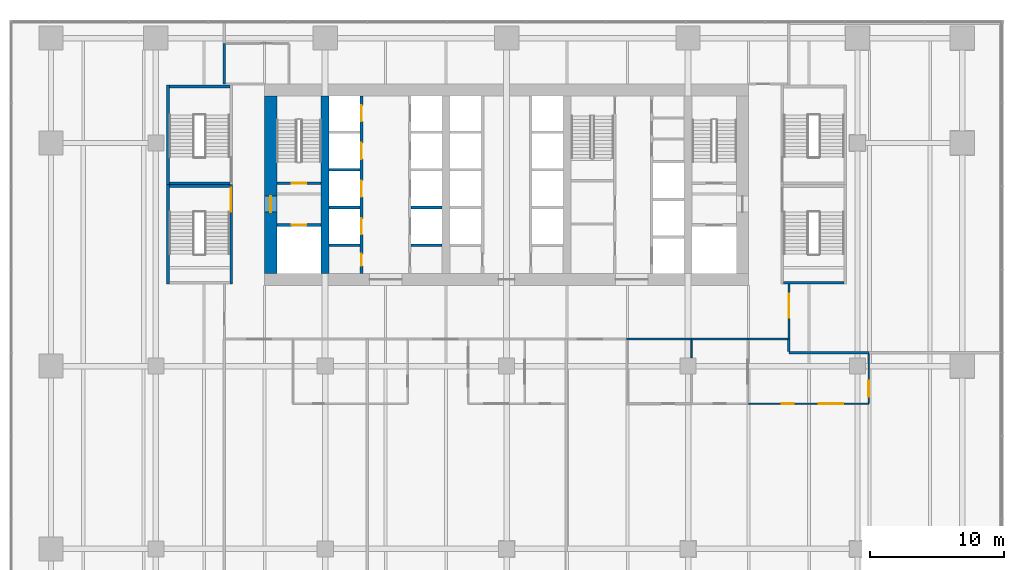
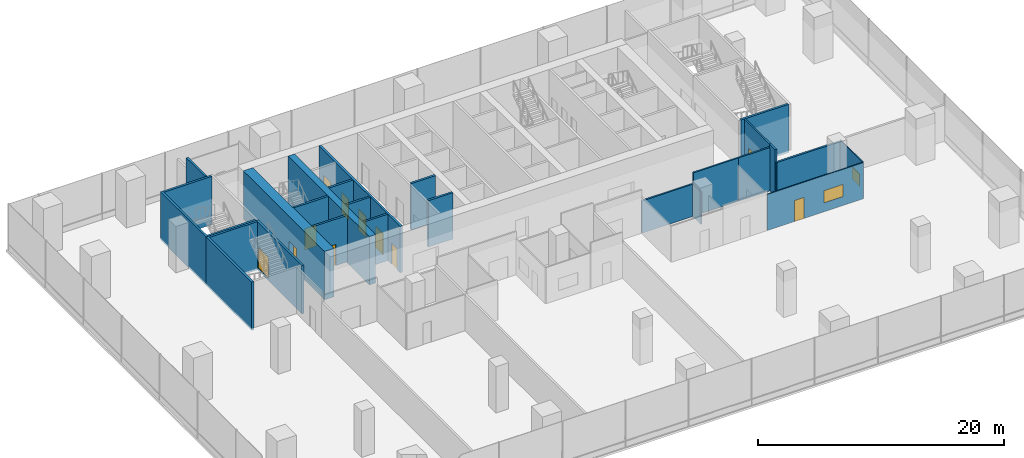
# One storey, part 20 of 29: 27 walls, 11 doors, 2 windows, 13 openings.
"""IFC4 building model written with IfcOpenShell, lengths in metres."""

import ifcopenshell
import ifcopenshell.guid

model = None  # the IFC model being written
_history = None  # IfcOwnerHistory: only IFC2X3 demands one
_inside = {}  # id of a spatial element -> (the spatial element, [elements in it])
_under = {}  # id of a project, library or spatial element -> (it, [spatial elements below it])
_declared = {}  # id of a project -> (the project, [libraries it declares])
_typed = {}  # id of a type object -> (the type object, [elements of that type])
_made_of = {}  # id of a material, layer set ... -> (it, [elements and type objects made of it])


def new_model(schema):
    """Start an empty IFC model of exactly this schema.

    Asked for "IFC4X3", IfcOpenShell would pick the latest addendum, in which some entities
    have other attributes; the version numbers below select the first issue.
    IFC2X3 requires an IfcOwnerHistory on every rooted entity: one is made here for all.
    """
    global model, _history
    if schema == "IFC4X3":
        model = ifcopenshell.file(schema_version=(4, 3, 0, 0))
    else:
        model = ifcopenshell.file(schema=schema)
    _inside.clear()
    _under.clear()
    _declared.clear()
    _typed.clear()
    _made_of.clear()
    _history = None
    if model.schema == "IFC2X3":
        org = make("IfcOrganization", Name="unknown")
        user = make(
            "IfcPersonAndOrganization",
            ThePerson=make("IfcPerson", FamilyName="unknown"),
            TheOrganization=org,
        )
        app = make(
            "IfcApplication",
            ApplicationDeveloper=org,
            Version="unknown",
            ApplicationFullName="unknown",
            ApplicationIdentifier="unknown",
        )
        _history = make(
            "IfcOwnerHistory",
            OwningUser=user,
            OwningApplication=app,
            ChangeAction="ADDED",
            CreationDate=0,
        )
    return model


def make(cls, **values):
    """One entity of the class cls with the attributes given. An attribute that is None is left unset."""
    return model.create_entity(
        cls, **{name: value for name, value in values.items() if value is not None}
    )


def rooted(cls, **values):
    """An entity with a GlobalId (a new one), such as an element, a storey or a relation."""
    return make(cls, GlobalId=ifcopenshell.guid.new(), OwnerHistory=_history, **values)


def si_unit(unit_type, name, prefix=None):
    """IfcSIUnit, for example si_unit("LENGTHUNIT", "METRE", prefix="MILLI")."""
    return make("IfcSIUnit", UnitType=unit_type, Prefix=prefix, Name=name)


def assignment(units):
    """IfcUnitAssignment: the units of a project."""
    return None if units is None else make("IfcUnitAssignment", Units=units)


def point(xyz):
    """IfcCartesianPoint."""
    return None if xyz is None else make("IfcCartesianPoint", Coordinates=xyz)


def direction(xyz):
    """IfcDirection."""
    return None if xyz is None else make("IfcDirection", DirectionRatios=xyz)


def frame(location, z_axis=None, x_axis=None):
    """IfcAxis2Placement3D, a coordinate frame: its origin and axes. An axis left out is left unset."""
    return make(
        "IfcAxis2Placement3D",
        Location=point(location),
        Axis=direction(z_axis),
        RefDirection=direction(x_axis),
    )


def frame_2d(location, x_axis=None):
    """IfcAxis2Placement2D, a coordinate frame in the plane: its origin and x axis."""
    return make(
        "IfcAxis2Placement2D", Location=point(location), RefDirection=direction(x_axis)
    )


def origin():
    """The frame at (0, 0, 0) with its axes left unset."""
    return frame((0.0, 0.0, 0.0))


def place(relative_to, where):
    """IfcLocalPlacement: puts the frame where relative to a parent placement (None: the world)."""
    return make(
        "IfcLocalPlacement", PlacementRelTo=relative_to, RelativePlacement=where
    )


def context(
    kind, dimensions, precision=None, world=None, true_north=None, identifier=None
):
    """IfcGeometricRepresentationContext, for example the 3D "Model" context."""
    return make(
        "IfcGeometricRepresentationContext",
        ContextIdentifier=identifier,
        ContextType=kind,
        CoordinateSpaceDimension=dimensions,
        Precision=precision,
        WorldCoordinateSystem=world,
        TrueNorth=true_north,
    )


def subcontext(parent, identifier, kind, view, scale=None):
    """IfcGeometricRepresentationSubContext, for example "Body" below "Model"."""
    return make(
        "IfcGeometricRepresentationSubContext",
        ContextIdentifier=identifier,
        ContextType=kind,
        ParentContext=parent,
        TargetScale=scale,
        TargetView=view,
    )


def project(units=None, contexts=None):
    """IfcProject with its units and contexts."""
    return rooted(
        "IfcProject",
        Name="project",
        RepresentationContexts=contexts,
        UnitsInContext=assignment(units),
    )


def spatial(cls, under=None, at=None, **own):
    """A site, building, storey or space (cls), placed at a placement, below another one or the project."""
    s = rooted(cls, ObjectPlacement=at, **own)
    if under is not None:
        _under.setdefault(under.id(), (under, []))[1].append(s)
    return s


def profile(cls, at=None, kind="AREA", **sizes):
    """A parametric profile (cls). Its sizes go by their IFC names, for example OverallWidth=200.0."""
    return make(cls, ProfileType=kind, Position=at, **sizes)


def rectangle(**sizes):
    """IfcRectangleProfileDef."""
    return profile("IfcRectangleProfileDef", **sizes)


def extrude(swept, where, along, depth):
    """IfcExtrudedAreaSolid: the profile swept, set in the frame where, extruded along a direction by depth."""
    return make(
        "IfcExtrudedAreaSolid",
        SweptArea=swept,
        Position=where,
        ExtrudedDirection=direction(along),
        Depth=depth,
    )


def shape(context_of_items, identifier, shape_type, items):
    """IfcShapeRepresentation: the items that make up one representation, for example the "Body"."""
    return make(
        "IfcShapeRepresentation",
        ContextOfItems=context_of_items,
        RepresentationIdentifier=identifier,
        RepresentationType=shape_type,
        Items=items,
    )


def material(Name=None, Category=None):
    """IfcMaterial."""
    return make("IfcMaterial", Name=Name, Category=Category)


def layer(
    of_material, thickness, ventilated=None, Name=None, Category=None, Priority=None
):
    """IfcMaterialLayer: one layer of a wall or slab, of a material (None: an air gap)."""
    return make(
        "IfcMaterialLayer",
        Material=of_material,
        LayerThickness=thickness,
        IsVentilated=ventilated,
        Name=Name,
        Category=Category,
        Priority=Priority,
    )


def layer_set(layers, Name=None):
    """IfcMaterialLayerSet."""
    return make("IfcMaterialLayerSet", MaterialLayers=layers, LayerSetName=Name)


def made_of(thing, what):
    """Note that an element or type object is made of a material, layer set ...; save() writes the relation."""
    if what is not None:
        _made_of.setdefault(what.id(), (what, []))[1].append(thing)
    return thing


def type_object(cls, material=None, **own):
    """A type object (cls), such as IfcWallType, which elements share."""
    return made_of(rooted(cls, **own), material)


def element(
    cls,
    number,
    at=None,
    inside=None,
    cuts=None,
    type_object=None,
    material=None,
    context=None,
    identifier="Body",
    shape_type=None,
    held_by="IfcProductDefinitionShape",
    body=None,
    shapes=None,
    **own,
):
    """One element of the class cls, such as IfcWall. Its Tag is "e" and its number.

    at: its placement. inside: the storey or other place that contains it. cuts: it is an
    opening in that element (IfcRelVoidsElement). A single representation is given by context,
    identifier, shape_type and body (its items); several are given by shapes. held_by: the class
    of the entity that holds the representations. save() writes the other relations.
    """
    e = rooted(cls, Tag="e%d" % number, ObjectPlacement=at, **own)
    if body is not None:
        shapes = [shape(context, identifier, shape_type, body)]
    if shapes is not None:
        e.Representation = make(held_by, Representations=shapes)
    if inside is not None:
        _inside.setdefault(inside.id(), (inside, []))[1].append(e)
    if cuts is not None:
        rooted(
            "IfcRelVoidsElement", RelatingBuildingElement=cuts, RelatedOpeningElement=e
        )
    if type_object is not None:
        _typed.setdefault(type_object.id(), (type_object, []))[1].append(e)
    return made_of(e, material)


def fill(opening, filler):
    """IfcRelFillsElement: the door or window that sits in an opening."""
    return rooted(
        "IfcRelFillsElement",
        RelatingOpeningElement=opening,
        RelatedBuildingElement=filler,
    )


def aggregate(whole, parts):
    """IfcRelAggregates: a whole, such as a stair, and the parts it consists of."""
    return rooted("IfcRelAggregates", RelatingObject=whole, RelatedObjects=parts)


def save(model, path):
    """Write the relations noted so far, then the file.

    IfcRelAggregates (storeys below a building ...), IfcRelContainedInSpatialStructure (elements
    in a storey), IfcRelDefinesByType, IfcRelAssociatesMaterial and IfcRelDeclares: one each for
    every whole, place, type object, material and project.
    """
    for whole, parts in _under.values():
        aggregate(whole, parts)
    for where, things in _inside.values():
        rooted(
            "IfcRelContainedInSpatialStructure",
            RelatedElements=things,
            RelatingStructure=where,
        )
    for kind, things in _typed.values():
        rooted("IfcRelDefinesByType", RelatedObjects=things, RelatingType=kind)
    for what, things in _made_of.values():
        rooted("IfcRelAssociatesMaterial", RelatedObjects=things, RelatingMaterial=what)
    for by, libraries in _declared.values():
        rooted("IfcRelDeclares", RelatingContext=by, RelatedDefinitions=libraries)
    model.write(path)


model = new_model("IFC4")

# Units and contexts
model_context = context("Model", 3, precision=1e-05, world=origin(), true_north=direction((0.0, 1.0)))
body_context = subcontext(model_context, "Body", "Model", "MODEL_VIEW")
ifc_project = project(units=[si_unit("LENGTHUNIT", "METRE"), si_unit("AREAUNIT", "SQUARE_METRE"), si_unit("VOLUMEUNIT", "CUBIC_METRE"), si_unit("PLANEANGLEUNIT", "RADIAN"), si_unit("MASSUNIT", "GRAM", prefix="KILO")], contexts=[model_context])

# Site, building, storey
site_placement = place(None, origin())
site = spatial("IfcSite", under=ifc_project, at=site_placement, CompositionType="ELEMENT")
building_placement = place(site_placement, origin())
building = spatial("IfcBuilding", under=site, at=building_placement, Name="Rattan Terrace Tower", CompositionType="ELEMENT")
storey_placement = place(building_placement, frame((0.0, 0.0, 12.60009765625)))
storey = spatial("IfcBuildingStorey", under=building, at=storey_placement, Name="L02", CompositionType="ELEMENT", Elevation=12.60009765625)

# Wall, opening, door
ifc_material_1 = material(Name="Gypsum board partition")
ifc_layer_1 = layer(ifc_material_1, 0.199951171875)
ifc_layer_set_1 = layer_set([ifc_layer_1], Name="Core partition 200")
wall_type_1 = type_object("IfcWallType", Name="Core partition 200", PredefinedType="PARTITIONING", material=ifc_layer_set_1)
wall_1_placement = place(storey_placement, frame((-17.10009765625, -3.0, 0.0), z_axis=(0.0, 0.0, 1.0), x_axis=(1.0, 0.0, 0.0)))
wall_1 = element("IfcWall", 1, at=wall_1_placement, inside=storey, type_object=wall_type_1, Name="Fire-fighting lobby wall", PredefinedType="PARTITIONING", context=body_context, shape_type="SweptSolid", body=[
    extrude(rectangle(XDim=3.300048828125, YDim=0.199951171875, at=frame_2d((1.64990234375, 0.0))), origin(), (0.0, 0.0, 1.0), 4.599853515625),
])
opening_1_placement = place(wall_1_placement, frame((1.10009765625, 0.0, 0.0)))
opening_1 = element("IfcOpeningElement", 2, at=opening_1_placement, cuts=wall_1, Name="Opening L02-LD-FF1", PredefinedType="OPENING", context=body_context, shape_type="SweptSolid", body=[
    extrude(rectangle(XDim=1.10009765625, YDim=2.10009765625, at=frame_2d((0.550048828125, 1.050048828125))), frame((0.0, 0.110595703125, 0.0), z_axis=(0.0, -1.0, 0.0), x_axis=(1.0, 0.0, 0.0)), (0.0, 0.0, 1.0), 0.220947265625),
])
ifc_material_2 = material(Name="Brushed stainless landing door panel")
door_type_1 = type_object("IfcDoorType", Name="Core lift landing door 1100", OperationType="DOUBLE_DOOR_SLIDING", PredefinedType="DOOR", material=ifc_material_2)
door_1_placement = place(opening_1_placement, origin())
door_1 = element("IfcDoor", 3, at=door_1_placement, inside=storey, type_object=door_type_1, Name="Door L02-LD-FF1", OperationType="DOUBLE_DOOR_SLIDING", OverallHeight=2.10009765625, OverallWidth=1.10009765625, PredefinedType="DOOR", context=body_context, shape_type="SweptSolid", body=[
    extrude(rectangle(XDim=1.10009765625, YDim=2.10009765625, at=frame_2d((0.550048828125, 1.050048828125))), frame((0.0, 0.02490234375, 0.0), z_axis=(0.0, -1.0, 0.0), x_axis=(1.0, 0.0, 0.0)), (0.0, 0.0, 1.0), 0.050048828125),
])
fill(opening_1, door_1)

wall_2_placement = place(storey_placement, frame((-17.10009765625, 0.10009765625, 0.0), z_axis=(0.0, 0.0, 1.0), x_axis=(1.0, 0.0, 0.0)))
wall_2 = element("IfcWall", 4, at=wall_2_placement, inside=storey, type_object=wall_type_1, Name="Stair enclosure wall", PredefinedType="PARTITIONING", context=body_context, shape_type="SweptSolid", body=[
    extrude(rectangle(XDim=3.300048828125, YDim=0.199951171875, at=frame_2d((1.64990234375, 0.0))), origin(), (0.0, 0.0, 1.0), 4.599853515625),
])
opening_2_placement = place(wall_2_placement, frame((1.10009765625, 0.0, 0.0)))
opening_2 = element("IfcOpeningElement", 5, at=opening_2_placement, cuts=wall_2, Name="Opening L02-D002", PredefinedType="OPENING", context=body_context, shape_type="SweptSolid", body=[
    extrude(rectangle(XDim=1.10009765625, YDim=2.10009765625, at=frame_2d((0.550048828125, 1.050048828125))), frame((0.0, 0.110595703125, 0.0), z_axis=(0.0, -1.0, 0.0), x_axis=(1.0, 0.0, 0.0)), (0.0, 0.0, 1.0), 0.220947265625),
])
ifc_material_3 = material(Name="Hollow-metal fire door leaf")
door_type_2 = type_object("IfcDoorType", Name="Core stair door 1100", OperationType="NOTDEFINED", PredefinedType="DOOR", material=ifc_material_3)
door_2_placement = place(opening_2_placement, origin())
door_2 = element("IfcDoor", 6, at=door_2_placement, inside=storey, type_object=door_type_2, Name="Door L02-D002", OperationType="SINGLE_SWING_RIGHT", OverallHeight=2.10009765625, OverallWidth=1.10009765625, PredefinedType="DOOR", context=body_context, shape_type="SweptSolid", body=[
    extrude(rectangle(XDim=1.10009765625, YDim=2.10009765625, at=frame_2d((0.550048828125, 1.050048828125))), frame((0.0, 0.02490234375, 0.0), z_axis=(0.0, -1.0, 0.0), x_axis=(1.0, 0.0, 0.0)), (0.0, 0.0, 1.0), 0.050048828125),
])
fill(opening_2, door_2)

ifc_material_4 = material(Name="Concrete C70/85", Category="concrete")
ifc_layer_2 = layer(ifc_material_4, 0.89990234375)
ifc_layer_set_2 = layer_set([ifc_layer_2], Name="Core ring wall 900 C70/85")
wall_type_2 = type_object("IfcWallType", Name="Core ring wall 900 C70/85", PredefinedType="SHEAR", material=ifc_layer_set_2)
wall_3_placement = place(storey_placement, frame((-17.550048828125, -6.60009765625, -0.2001953125), z_axis=(0.0, 0.0, 1.0), x_axis=(0.0, 1.0, 0.0)))
wall_3 = element("IfcWall", 7, at=wall_3_placement, inside=storey, type_object=wall_type_2, Name="Rear core wall west", PredefinedType="SHEAR", context=body_context, shape_type="SweptSolid", body=[
    extrude(rectangle(XDim=13.2001953125, YDim=0.89990234375, at=frame_2d((6.60009765625, 0.0))), origin(), (0.0, 0.0, 1.0), 4.800048828125),
])
opening_3_placement = place(wall_3_placement, frame((4.550048828125, 0.0, 0.199951171875)))
opening_3 = element("IfcOpeningElement", 8, at=opening_3_placement, cuts=wall_3, Name="Opening L02-D001", PredefinedType="OPENING", context=body_context, shape_type="SweptSolid", body=[
    extrude(rectangle(XDim=1.199951171875, YDim=2.10009765625, at=frame_2d((0.60009765625, 1.050048828125))), frame((0.0, 0.46044921875, 0.0), z_axis=(0.0, -1.0, 0.0), x_axis=(1.0, 0.0, 0.0)), (0.0, 0.0, 1.0), 0.9208984375),
])
ifc_material_5 = material(Name="Hollow-metal fire door leaf")
door_type_3 = type_object("IfcDoorType", Name="Core fire-fighting lobby door 1200", OperationType="NOTDEFINED", PredefinedType="DOOR", material=ifc_material_5)
door_3_placement = place(opening_3_placement, origin())
door_3 = element("IfcDoor", 9, at=door_3_placement, inside=storey, type_object=door_type_3, Name="Door L02-D001", OperationType="SINGLE_SWING_LEFT", OverallHeight=2.10009765625, OverallWidth=1.199951171875, PredefinedType="DOOR", context=body_context, shape_type="SweptSolid", body=[
    extrude(rectangle(XDim=1.199951171875, YDim=2.10009765625, at=frame_2d((0.60009765625, 1.050048828125))), frame((0.0, 0.02490234375, 0.0), z_axis=(0.0, -1.0, 0.0), x_axis=(1.0, 0.0, 0.0)), (0.0, 0.0, 1.0), 0.050048828125),
])
fill(opening_3, door_3)

# Walls
ifc_material_6 = material(Name="Concrete C70/85", Category="concrete")
ifc_layer_3 = layer(ifc_material_6, 0.60009765625)
ifc_layer_set_3 = layer_set([ifc_layer_3], Name="Core spine wall 600 C70/85")
wall_type_3 = type_object("IfcWallType", Name="Core spine wall 600 C70/85", PredefinedType="SHEAR", material=ifc_layer_set_3)
wall_4_placement = place(storey_placement, frame((-13.5, -6.60009765625, -0.2001953125), z_axis=(0.0, 0.0, 1.0), x_axis=(0.0, 1.0, 0.0)))
element("IfcWall", 10, at=wall_4_placement, inside=storey, type_object=wall_type_3, Name="Core spine wall 1", PredefinedType="SHEAR", context=body_context, shape_type="SweptSolid", body=[
    extrude(rectangle(XDim=13.2001953125, YDim=0.60009765625, at=frame_2d((6.60009765625, 0.0))), origin(), (0.0, 0.0, 1.0), 4.800048828125),
])
ifc_material_7 = material(Name="Double steel stud acoustic partition, gypsum board, mineral wool, fire rated", Category="steel")
ifc_layer_4 = layer(ifc_material_7, 0.179931640625)
ifc_layer_set_4 = layer_set([ifc_layer_4], Name="Floors Acoustic Party Wall 180")
wall_type_4 = type_object("IfcWallType", Name="Floors Acoustic Party Wall 180", PredefinedType="PARTITIONING", material=ifc_layer_set_4)
wall_5_placement = place(storey_placement, frame((-21.0, 10.52001953125, 0.0), z_axis=(0.0, 0.0, 1.0), x_axis=(0.0, -1.0, 0.0)))
element("IfcWall", 11, at=wall_5_placement, inside=storey, type_object=wall_type_4, Name="pt-L02-017", PredefinedType="PARTITIONING", context=body_context, shape_type="SweptSolid", body=[
    extrude(rectangle(XDim=3.0400390625, YDim=0.179931640625, at=frame_2d((1.52001953125, 0.0))), origin(), (0.0, 0.0, 1.0), 4.599853515625),
])
wall_6_placement = place(storey_placement, frame((20.998046875, -11.5, 0.0), z_axis=(0.0, 0.0, 1.0), x_axis=(0.0, -1.0, 0.0)))
element("IfcWall", 12, at=wall_6_placement, inside=storey, type_object=wall_type_4, Name="pt-L02-039", PredefinedType="PARTITIONING", context=body_context, shape_type="SweptSolid", body=[
    extrude(rectangle(XDim=0.909912109375, YDim=0.179931640625, at=frame_2d((0.455078125, 0.0))), origin(), (0.0, 0.0, 1.0), 4.599853515625),
])
wall_7_placement = place(storey_placement, frame((21.0, -12.5, 0.0), z_axis=(0.0, 0.0, 1.0), x_axis=(1.0, 0.0, 0.0)))
element("IfcWall", 13, at=wall_7_placement, inside=storey, type_object=wall_type_4, Name="pt-L02-040", PredefinedType="PARTITIONING", context=body_context, shape_type="SweptSolid", body=[
    extrude(rectangle(XDim=5.93994140625, YDim=0.179931640625, at=frame_2d((2.969970703125, 0.0))), origin(), (0.0, 0.0, 1.0), 3.39990234375),
])

# Wall, openings, door, window
ifc_material_8 = material(Name="Gypsum board partition on steel studs", Category="steel")
ifc_layer_5 = layer(ifc_material_8, 0.10009765625)
ifc_layer_set_5 = layer_set([ifc_layer_5], Name="Floors Partition 100")
wall_type_5 = type_object("IfcWallType", Name="Floors Partition 100", PredefinedType="PARTITIONING", material=ifc_layer_set_5)
wall_8_placement = place(storey_placement, frame((17.919921875, -16.300048828125, 0.0), z_axis=(0.0, 0.0, 1.0), x_axis=(1.0, 0.0, 0.0)))
wall_8 = element("IfcWall", 14, at=wall_8_placement, inside=storey, type_object=wall_type_5, Name="pt-L02-033", PredefinedType="PARTITIONING", context=body_context, shape_type="SweptSolid", body=[
    extrude(rectangle(XDim=9.02001953125, YDim=0.10009765625, at=frame_2d((4.510009765625, 0.0))), origin(), (0.0, 0.0, 1.0), 3.599853515625),
])
opening_4_placement = place(wall_8_placement, frame((2.535888671875, 0.0, 0.0)))
opening_4 = element("IfcOpeningElement", 15, at=opening_4_placement, cuts=wall_8, Name="Opening L02-D110", PredefinedType="OPENING", context=body_context, shape_type="SweptSolid", body=[
    extrude(rectangle(XDim=0.89990234375, YDim=2.10009765625, at=frame_2d((0.449951171875, 1.050048828125))), frame((0.0, 0.060546875, 0.0), z_axis=(0.0, -1.0, 0.0), x_axis=(1.0, 0.0, 0.0)), (0.0, 0.0, 1.0), 0.12109375),
])
opening_5_placement = place(wall_8_placement, frame((5.302978515625, 0.0, 0.89990234375)))
opening_5 = element("IfcOpeningElement", 16, at=opening_5_placement, cuts=wall_8, Name="Opening L02-W103", PredefinedType="OPENING", context=body_context, shape_type="SweptSolid", body=[
    extrude(rectangle(XDim=1.800048828125, YDim=1.199951171875, at=frame_2d((0.89990234375, 0.60009765625))), frame((0.0, 0.060546875, 0.0), z_axis=(0.0, -1.0, 0.0), x_axis=(1.0, 0.0, 0.0)), (0.0, 0.0, 1.0), 0.12109375),
])
ifc_material_9 = material(Name="Solid core timber door, painted", Category="wood")
door_type_4 = type_object("IfcDoorType", Name="Floors Door 900x2100", OperationType="NOTDEFINED", PredefinedType="DOOR", material=ifc_material_9)
door_4_placement = place(opening_4_placement, origin())
door_4 = element("IfcDoor", 17, at=door_4_placement, inside=storey, type_object=door_type_4, Name="d-L02-110", OperationType="SINGLE_SWING_LEFT", OverallHeight=2.10009765625, OverallWidth=0.89990234375, PredefinedType="DOOR", context=body_context, shape_type="SweptSolid", body=[
    extrude(rectangle(XDim=0.89990234375, YDim=2.10009765625, at=frame_2d((0.449951171875, 1.050048828125))), frame((0.0, 0.02490234375, 0.0), z_axis=(0.0, -1.0, 0.0), x_axis=(1.0, 0.0, 0.0)), (0.0, 0.0, 1.0), 0.050048828125),
])
fill(opening_4, door_4)
ifc_material_10 = material(Name="Glass, clear, fixed in aluminium frame", Category="aluminium")
window_type_1 = type_object("IfcWindowType", Name="Interior Vision Window 1800x1200", PartitioningType="SINGLE_PANEL", PredefinedType="WINDOW", material=ifc_material_10)
window_1_placement = place(opening_5_placement, origin())
window_1 = element("IfcWindow", 18, at=window_1_placement, inside=storey, type_object=window_type_1, Name="w-L02-103", OverallHeight=1.199951171875, OverallWidth=1.800048828125, PartitioningType="SINGLE_PANEL", PredefinedType="WINDOW", context=body_context, shape_type="SweptSolid", body=[
    extrude(rectangle(XDim=1.800048828125, YDim=1.199951171875, at=frame_2d((0.89990234375, 0.60009765625))), frame((0.0, 0.030029296875, 0.0), z_axis=(0.0, -1.0, 0.0), x_axis=(1.0, 0.0, 0.0)), (0.0, 0.0, 1.0), 0.06005859375),
])
fill(opening_5, window_1)

# Wall, opening, window
wall_9_placement = place(storey_placement, frame((26.93994140625, -16.25, 0.0), z_axis=(0.0, 0.0, 1.0), x_axis=(0.0, 1.0, 0.0)))
wall_9 = element("IfcWall", 19, at=wall_9_placement, inside=storey, type_object=wall_type_5, Name="pt-L02-034", PredefinedType="PARTITIONING", context=body_context, shape_type="SweptSolid", body=[
    extrude(rectangle(XDim=3.659912109375, YDim=0.10009765625, at=frame_2d((1.830078125, 0.0))), origin(), (0.0, 0.0, 1.0), 3.599853515625),
])
opening_6_placement = place(wall_9_placement, frame((0.47509765625, 0.0, 0.89990234375)))
opening_6 = element("IfcOpeningElement", 20, at=opening_6_placement, cuts=wall_9, Name="Opening L02-W104", PredefinedType="OPENING", context=body_context, shape_type="SweptSolid", body=[
    extrude(rectangle(XDim=1.199951171875, YDim=1.199951171875, at=frame_2d((0.60009765625, 0.60009765625))), frame((0.0, 0.060546875, 0.0), z_axis=(0.0, -1.0, 0.0), x_axis=(1.0, 0.0, 0.0)), (0.0, 0.0, 1.0), 0.12109375),
])
ifc_material_11 = material(Name="Glass, clear, fixed in aluminium frame", Category="aluminium")
window_type_2 = type_object("IfcWindowType", Name="Interior Vision Window 1200x1200", PartitioningType="SINGLE_PANEL", PredefinedType="WINDOW", material=ifc_material_11)
window_2_placement = place(opening_6_placement, origin())
window_2 = element("IfcWindow", 21, at=window_2_placement, inside=storey, type_object=window_type_2, Name="w-L02-104", OverallHeight=1.199951171875, OverallWidth=1.199951171875, PartitioningType="SINGLE_PANEL", PredefinedType="WINDOW", context=body_context, shape_type="SweptSolid", body=[
    extrude(rectangle(XDim=1.199951171875, YDim=1.199951171875, at=frame_2d((0.60009765625, 0.60009765625))), frame((0.0, 0.030029296875, 0.0), z_axis=(0.0, -1.0, 0.0), x_axis=(1.0, 0.0, 0.0)), (0.0, 0.0, 1.0), 0.06005859375),
])
fill(opening_6, window_2)

# Walls
ifc_material_12 = material(Name="Gypsum board partition on steel studs, fire rated", Category="steel")
ifc_layer_6 = layer(ifc_material_12, 0.14990234375)
ifc_layer_set_6 = layer_set([ifc_layer_6], Name="Floors Tenancy Wall 150")
wall_type_6 = type_object("IfcWallType", Name="Floors Tenancy Wall 150", PredefinedType="PARTITIONING", material=ifc_layer_set_6)
wall_10_placement = place(storey_placement, frame((13.760009765625, -11.5, 0.0), z_axis=(0.0, 0.0, 1.0), x_axis=(-1.0, 0.0, 0.0)))
element("IfcWall", 22, at=wall_10_placement, inside=storey, type_object=wall_type_6, Name="pt-L02-009", PredefinedType="PARTITIONING", context=body_context, shape_type="SweptSolid", body=[
    extrude(rectangle(XDim=4.840087890625, YDim=0.14990234375, at=frame_2d((2.419921875, 0.0))), origin(), (0.0, 0.0, 1.0), 3.199951171875),
])
wall_11_placement = place(storey_placement, frame((17.9599609375, -11.5, 0.0), z_axis=(0.0, 0.0, 1.0), x_axis=(-1.0, 0.0, 0.0)))
element("IfcWall", 23, at=wall_11_placement, inside=storey, type_object=wall_type_6, Name="pt-L02-010", PredefinedType="PARTITIONING", context=body_context, shape_type="SweptSolid", body=[
    extrude(rectangle(XDim=4.199951171875, YDim=0.14990234375, at=frame_2d((2.10009765625, 0.0))), origin(), (0.0, 0.0, 1.0), 4.2998046875),
])
wall_12_placement = place(storey_placement, frame((20.925048828125, -11.5, 0.0), z_axis=(0.0, 0.0, 1.0), x_axis=(-1.0, 0.0, 0.0)))
element("IfcWall", 24, at=wall_12_placement, inside=storey, type_object=wall_type_6, Name="pt-L02-011", PredefinedType="PARTITIONING", context=body_context, shape_type="SweptSolid", body=[
    extrude(rectangle(XDim=2.965087890625, YDim=0.14990234375, at=frame_2d((1.482421875, 0.0))), origin(), (0.0, 0.0, 1.0), 4.2998046875),
])

# Wall, opening, door
wall_13_placement = place(storey_placement, frame((21.0, -7.39990234375, 0.0), z_axis=(0.0, 0.0, 1.0), x_axis=(0.0, -1.0, 0.0)))
wall_13 = element("IfcWall", 25, at=wall_13_placement, inside=storey, type_object=wall_type_6, Name="pt-L02-012", PredefinedType="PARTITIONING", context=body_context, shape_type="SweptSolid", body=[
    extrude(rectangle(XDim=4.10009765625, YDim=0.14990234375, at=frame_2d((2.050048828125, 0.0))), origin(), (0.0, 0.0, 1.0), 4.599853515625),
])
opening_7_placement = place(wall_13_placement, frame((0.699951171875, 0.0, 0.0)))
opening_7 = element("IfcOpeningElement", 26, at=opening_7_placement, cuts=wall_13, Name="Opening L02-D111", PredefinedType="OPENING", context=body_context, shape_type="SweptSolid", body=[
    extrude(rectangle(XDim=1.800048828125, YDim=2.10009765625, at=frame_2d((0.89990234375, 1.050048828125))), frame((0.0, 0.08544921875, 0.0), z_axis=(0.0, -1.0, 0.0), x_axis=(1.0, 0.0, 0.0)), (0.0, 0.0, 1.0), 0.1708984375),
])
ifc_material_13 = material(Name="Steel fire door set", Category="steel")
door_type_5 = type_object("IfcDoorType", Name="Floors Fire Door Pair FD30S 1800x2100", OperationType="NOTDEFINED", PredefinedType="DOOR", material=ifc_material_13)
door_5_placement = place(opening_7_placement, origin())
door_5 = element("IfcDoor", 27, at=door_5_placement, inside=storey, type_object=door_type_5, Name="d-L02-111", OperationType="DOUBLE_DOOR_SINGLE_SWING", OverallHeight=2.10009765625, OverallWidth=1.800048828125, PredefinedType="DOOR", context=body_context, shape_type="SweptSolid", body=[
    extrude(rectangle(XDim=1.800048828125, YDim=2.10009765625, at=frame_2d((0.89990234375, 1.050048828125))), frame((0.0, 0.02490234375, 0.0), z_axis=(0.0, -1.0, 0.0), x_axis=(1.0, 0.0, 0.0)), (0.0, 0.0, 1.0), 0.050048828125),
])
fill(opening_7, door_5)

# Wall
ifc_material_14 = material(Name="Moisture resistant gypsum board partition on steel studs with service cavity", Category="steel")
ifc_layer_7 = layer(ifc_material_14, 0.1201171875)
ifc_layer_set_7 = layer_set([ifc_layer_7], Name="Floors Wet Wall 120")
wall_type_7 = type_object("IfcWallType", Name="Floors Wet Wall 120", PredefinedType="PARTITIONING", material=ifc_layer_set_7)
wall_14_placement = place(storey_placement, frame((13.739990234375, -11.574951171875, 0.0), z_axis=(0.0, 0.0, 1.0), x_axis=(0.0, -1.0, 0.0)))
element("IfcWall", 28, at=wall_14_placement, inside=storey, type_object=wall_type_7, Name="pt-L02-036", PredefinedType="PARTITIONING", context=body_context, shape_type="SweptSolid", body=[
    extrude(rectangle(XDim=1.304931640625, YDim=0.1201171875, at=frame_2d((0.65234375, 0.0))), origin(), (0.0, 0.0, 1.0), 3.199951171875),
])

# Wall, openings, doors
ifc_material_15 = material(Name="Gypsum shaft wall system")
ifc_layer_8 = layer(ifc_material_15, 0.199951171875)
ifc_layer_set_8 = layer_set([ifc_layer_8], Name="Lift shaft wall 200")
wall_type_8 = type_object("IfcWallType", Name="Lift shaft wall 200", PredefinedType="PARTITIONING", material=ifc_layer_set_8)
wall_15_placement = place(storey_placement, frame((-10.800048828125, -6.60009765625, 0.0), z_axis=(0.0, 0.0, 1.0), x_axis=(0.0, 1.0, 0.0)))
wall_15 = element("IfcWall", 29, at=wall_15_placement, inside=storey, type_object=wall_type_8, Name="Lift shaft front wall", PredefinedType="PARTITIONING", context=body_context, shape_type="SweptSolid", body=[
    extrude(rectangle(XDim=13.2001953125, YDim=0.199951171875, at=frame_2d((6.60009765625, 0.0))), origin(), (0.0, 0.0, 1.0), 4.599853515625),
])
opening_8_placement = place(wall_15_placement, frame((0.550048828125, 0.0, 0.0)))
opening_8 = element("IfcOpeningElement", 30, at=opening_8_placement, cuts=wall_15, Name="Opening L02-D005", PredefinedType="OPENING", context=body_context, shape_type="SweptSolid", body=[
    extrude(rectangle(XDim=0.89990234375, YDim=2.10009765625, at=frame_2d((0.449951171875, 1.050048828125))), frame((0.0, 0.110595703125, 0.0), z_axis=(0.0, -1.0, 0.0), x_axis=(1.0, 0.0, 0.0)), (0.0, 0.0, 1.0), 0.220947265625),
])
opening_9_placement = place(wall_15_placement, frame((2.89990234375, 0.0, 0.0)))
opening_9 = element("IfcOpeningElement", 31, at=opening_9_placement, cuts=wall_15, Name="Opening L02-LD-LR1", PredefinedType="OPENING", context=body_context, shape_type="SweptSolid", body=[
    extrude(rectangle(XDim=1.199951171875, YDim=2.10009765625, at=frame_2d((0.60009765625, 1.050048828125))), frame((0.0, 0.110595703125, 0.0), z_axis=(0.0, -1.0, 0.0), x_axis=(1.0, 0.0, 0.0)), (0.0, 0.0, 1.0), 0.220947265625),
])
opening_10_placement = place(wall_15_placement, frame((5.699951171875, 0.0, 0.0)))
opening_10 = element("IfcOpeningElement", 32, at=opening_10_placement, cuts=wall_15, Name="Opening L02-LD-LR2", PredefinedType="OPENING", context=body_context, shape_type="SweptSolid", body=[
    extrude(rectangle(XDim=1.199951171875, YDim=2.10009765625, at=frame_2d((0.60009765625, 1.050048828125))), frame((0.0, 0.110595703125, 0.0), z_axis=(0.0, -1.0, 0.0), x_axis=(1.0, 0.0, 0.0)), (0.0, 0.0, 1.0), 0.220947265625),
])
opening_11_placement = place(wall_15_placement, frame((8.5, 0.0, 0.0)))
opening_11 = element("IfcOpeningElement", 33, at=opening_11_placement, cuts=wall_15, Name="Opening L02-LD-LR3", PredefinedType="OPENING", context=body_context, shape_type="SweptSolid", body=[
    extrude(rectangle(XDim=1.199951171875, YDim=2.10009765625, at=frame_2d((0.60009765625, 1.050048828125))), frame((0.0, 0.110595703125, 0.0), z_axis=(0.0, -1.0, 0.0), x_axis=(1.0, 0.0, 0.0)), (0.0, 0.0, 1.0), 0.220947265625),
])
opening_12_placement = place(wall_15_placement, frame((11.300048828125, 0.0, 0.0)))
opening_12 = element("IfcOpeningElement", 34, at=opening_12_placement, cuts=wall_15, Name="Opening L02-LD-LR4", PredefinedType="OPENING", context=body_context, shape_type="SweptSolid", body=[
    extrude(rectangle(XDim=1.199951171875, YDim=2.10009765625, at=frame_2d((0.60009765625, 1.050048828125))), frame((0.0, 0.110595703125, 0.0), z_axis=(0.0, -1.0, 0.0), x_axis=(1.0, 0.0, 0.0)), (0.0, 0.0, 1.0), 0.220947265625),
])
ifc_material_16 = material(Name="Brushed stainless landing door panel")
door_type_6 = type_object("IfcDoorType", Name="Core lift landing door 1200", OperationType="DOUBLE_DOOR_SLIDING", PredefinedType="DOOR", material=ifc_material_16)
door_6_placement = place(opening_9_placement, origin())
door_6 = element("IfcDoor", 35, at=door_6_placement, inside=storey, type_object=door_type_6, Name="Door L02-LD-LR1", OperationType="DOUBLE_DOOR_SLIDING", OverallHeight=2.10009765625, OverallWidth=1.199951171875, PredefinedType="DOOR", context=body_context, shape_type="SweptSolid", body=[
    extrude(rectangle(XDim=1.199951171875, YDim=2.10009765625, at=frame_2d((0.60009765625, 1.050048828125))), frame((0.0, 0.02490234375, 0.0), z_axis=(0.0, -1.0, 0.0), x_axis=(1.0, 0.0, 0.0)), (0.0, 0.0, 1.0), 0.050048828125),
])
fill(opening_9, door_6)
door_7_placement = place(opening_10_placement, origin())
door_7 = element("IfcDoor", 36, at=door_7_placement, inside=storey, type_object=door_type_6, Name="Door L02-LD-LR2", OperationType="DOUBLE_DOOR_SLIDING", OverallHeight=2.10009765625, OverallWidth=1.199951171875, PredefinedType="DOOR", context=body_context, shape_type="SweptSolid", body=[
    extrude(rectangle(XDim=1.199951171875, YDim=2.10009765625, at=frame_2d((0.60009765625, 1.050048828125))), frame((0.0, 0.02490234375, 0.0), z_axis=(0.0, -1.0, 0.0), x_axis=(1.0, 0.0, 0.0)), (0.0, 0.0, 1.0), 0.050048828125),
])
fill(opening_10, door_7)
door_8_placement = place(opening_11_placement, origin())
door_8 = element("IfcDoor", 37, at=door_8_placement, inside=storey, type_object=door_type_6, Name="Door L02-LD-LR3", OperationType="DOUBLE_DOOR_SLIDING", OverallHeight=2.10009765625, OverallWidth=1.199951171875, PredefinedType="DOOR", context=body_context, shape_type="SweptSolid", body=[
    extrude(rectangle(XDim=1.199951171875, YDim=2.10009765625, at=frame_2d((0.60009765625, 1.050048828125))), frame((0.0, 0.02490234375, 0.0), z_axis=(0.0, -1.0, 0.0), x_axis=(1.0, 0.0, 0.0)), (0.0, 0.0, 1.0), 0.050048828125),
])
fill(opening_11, door_8)
door_9_placement = place(opening_12_placement, origin())
door_9 = element("IfcDoor", 38, at=door_9_placement, inside=storey, type_object=door_type_6, Name="Door L02-LD-LR4", OperationType="DOUBLE_DOOR_SLIDING", OverallHeight=2.10009765625, OverallWidth=1.199951171875, PredefinedType="DOOR", context=body_context, shape_type="SweptSolid", body=[
    extrude(rectangle(XDim=1.199951171875, YDim=2.10009765625, at=frame_2d((0.60009765625, 1.050048828125))), frame((0.0, 0.02490234375, 0.0), z_axis=(0.0, -1.0, 0.0), x_axis=(1.0, 0.0, 0.0)), (0.0, 0.0, 1.0), 0.050048828125),
])
fill(opening_12, door_9)
ifc_material_17 = material(Name="Hollow-metal fire door leaf")
door_type_7 = type_object("IfcDoorType", Name="Core riser door 900", OperationType="NOTDEFINED", PredefinedType="DOOR", material=ifc_material_17)
door_10_placement = place(opening_8_placement, origin())
door_10 = element("IfcDoor", 39, at=door_10_placement, inside=storey, type_object=door_type_7, Name="Door L02-D005", OperationType="SINGLE_SWING_LEFT", OverallHeight=2.10009765625, OverallWidth=0.89990234375, PredefinedType="DOOR", context=body_context, shape_type="SweptSolid", body=[
    extrude(rectangle(XDim=0.89990234375, YDim=2.10009765625, at=frame_2d((0.449951171875, 1.050048828125))), frame((0.0, 0.02490234375, 0.0), z_axis=(0.0, -1.0, 0.0), x_axis=(1.0, 0.0, 0.0)), (0.0, 0.0, 1.0), 0.050048828125),
])
fill(opening_8, door_10)

# Walls
for number, where, z_axis, x_axis, name in (
    (40, (-13.199951171875, -1.699951171875, 0.0), (0.0, 0.0, 1.0), (1.0, 0.0, 0.0), "Lift shaft wall"),
    (41, (-13.199951171875, 1.10009765625, 0.0), (0.0, 0.0, 1.0), (1.0, 0.0, 0.0), "Lift shaft wall"),
    (42, (-13.199951171875, -4.5, 0.0), (0.0, 0.0, 1.0), (1.0, 0.0, 0.0), "Lift shaft wall"),
    (43, (-7.10009765625, -1.699951171875, 0.0), (0.0, 0.0, 1.0), (1.0, 0.0, 0.0), "Lift shaft wall"),
    (44, (-7.10009765625, -4.5, 0.0), (0.0, 0.0, 1.0), (1.0, 0.0, 0.0), "Lift shaft wall"),
):
    element("IfcWall", number, at=place(storey_placement, frame(where, z_axis=z_axis, x_axis=x_axis)), inside=storey, type_object=wall_type_8, Name=name, PredefinedType="PARTITIONING", context=body_context, shape_type="SweptSolid", body=[
        extrude(rectangle(XDim=2.300048828125, YDim=0.199951171875, at=frame_2d((1.14990234375, 0.0))), origin(), (0.0, 0.0, 1.0), 4.599853515625),
    ])

# Wall, opening, door
ifc_material_18 = material(Name="Concrete C40/50", Category="concrete")
ifc_layer_9 = layer(ifc_material_18, 0.199951171875)
ifc_layer_set_9 = layer_set([ifc_layer_9], Name="Podium exit stair shaft wall 200")
wall_type_9 = type_object("IfcWallType", Name="Podium exit stair shaft wall 200", PredefinedType="SHEAR", material=ifc_layer_set_9)
wall_16_placement = place(storey_placement, frame((-20.5, 0.0, -0.2001953125), z_axis=(0.0, 0.0, 1.0), x_axis=(0.0, -1.0, 0.0)))
wall_16 = element("IfcWall", 45, at=wall_16_placement, inside=storey, type_object=wall_type_9, Name="L02 stair S4 shaft wall", PredefinedType="SHEAR", context=body_context, shape_type="SweptSolid", body=[
    extrude(rectangle(XDim=7.39990234375, YDim=0.199951171875, at=frame_2d((3.699951171875, 0.0))), origin(), (0.0, 0.0, 1.0), 4.800048828125),
])
opening_13_placement = place(wall_16_placement, frame((0.22509765625, 0.0, 0.199951171875)))
opening_13 = element("IfcOpeningElement", 46, at=opening_13_placement, cuts=wall_16, Name="Opening L02-D901", PredefinedType="OPENING", context=body_context, shape_type="SweptSolid", body=[
    extrude(rectangle(XDim=1.800048828125, YDim=2.10009765625, at=frame_2d((0.89990234375, 1.050048828125))), frame((0.0, 0.110595703125, 0.0), z_axis=(0.0, -1.0, 0.0), x_axis=(1.0, 0.0, 0.0)), (0.0, 0.0, 1.0), 0.220947265625),
])
ifc_material_19 = material(Name="Hollow-metal fire door leaf")
door_type_8 = type_object("IfcDoorType", Name="Podium exit stair door pair 1800", OperationType="DOUBLE_DOOR_SINGLE_SWING", PredefinedType="DOOR", material=ifc_material_19)
door_11_placement = place(opening_13_placement, origin())
door_11 = element("IfcDoor", 47, at=door_11_placement, inside=storey, type_object=door_type_8, Name="Door L02-D901", OperationType="DOUBLE_DOOR_SINGLE_SWING", OverallHeight=2.10009765625, OverallWidth=1.800048828125, PredefinedType="DOOR", context=body_context, shape_type="SweptSolid", body=[
    extrude(rectangle(XDim=1.800048828125, YDim=2.10009765625, at=frame_2d((0.89990234375, 1.050048828125))), frame((0.0, 0.02490234375, 0.0), z_axis=(0.0, -1.0, 0.0), x_axis=(1.0, 0.0, 0.0)), (0.0, 0.0, 1.0), 0.050048828125),
])
fill(opening_13, door_11)

# Walls
wall_17_placement = place(storey_placement, frame((-25.199951171875, -7.39990234375, -0.2001953125), z_axis=(0.0, 0.0, 1.0), x_axis=(0.0, 1.0, 0.0)))
element("IfcWall", 48, at=wall_17_placement, inside=storey, type_object=wall_type_9, Name="L02 stair S4 shaft wall", PredefinedType="SHEAR", context=body_context, shape_type="SweptSolid", body=[
    extrude(rectangle(XDim=7.39990234375, YDim=0.199951171875, at=frame_2d((3.699951171875, 0.0))), origin(), (0.0, 0.0, 1.0), 4.800048828125),
])
wall_18_placement = place(storey_placement, frame((-25.10009765625, -0.10009765625, -0.2001953125), z_axis=(0.0, 0.0, 1.0), x_axis=(1.0, 0.0, 0.0)))
element("IfcWall", 49, at=wall_18_placement, inside=storey, type_object=wall_type_9, Name="L02 stair S4 shaft wall", PredefinedType="SHEAR", context=body_context, shape_type="SweptSolid", body=[
    extrude(rectangle(XDim=4.5, YDim=0.199951171875, at=frame_2d((2.25, 0.0))), origin(), (0.0, 0.0, 1.0), 4.800048828125),
])
wall_19_placement = place(storey_placement, frame((-25.199951171875, 0.0, -0.2001953125), z_axis=(0.0, 0.0, 1.0), x_axis=(0.0, 1.0, 0.0)))
element("IfcWall", 50, at=wall_19_placement, inside=storey, type_object=wall_type_9, Name="L02 stair S5 shaft wall", PredefinedType="SHEAR", context=body_context, shape_type="SweptSolid", body=[
    extrude(rectangle(XDim=7.39990234375, YDim=0.199951171875, at=frame_2d((3.699951171875, 0.0))), origin(), (0.0, 0.0, 1.0), 4.800048828125),
])
for number, where, z_axis, x_axis, name in (
    (51, (-25.10009765625, 7.300048828125, -0.2001953125), (0.0, 0.0, 1.0), (1.0, 0.0, 0.0), "L02 stair S5 shaft wall"),
    (52, (-25.10009765625, 0.10009765625, -0.2001953125), (0.0, 0.0, 1.0), (1.0, 0.0, 0.0), "L02 stair S5 shaft wall"),
    (53, (20.60009765625, -7.300048828125, -0.2001953125), (0.0, 0.0, 1.0), (1.0, 0.0, 0.0), "L02 stair S6 shaft wall"),
):
    element("IfcWall", number, at=place(storey_placement, frame(where, z_axis=z_axis, x_axis=x_axis)), inside=storey, type_object=wall_type_9, Name=name, PredefinedType="SHEAR", context=body_context, shape_type="SweptSolid", body=[
        extrude(rectangle(XDim=4.5, YDim=0.199951171875, at=frame_2d((2.25, 0.0))), origin(), (0.0, 0.0, 1.0), 4.800048828125),
    ])

save(model, "model.ifc")
